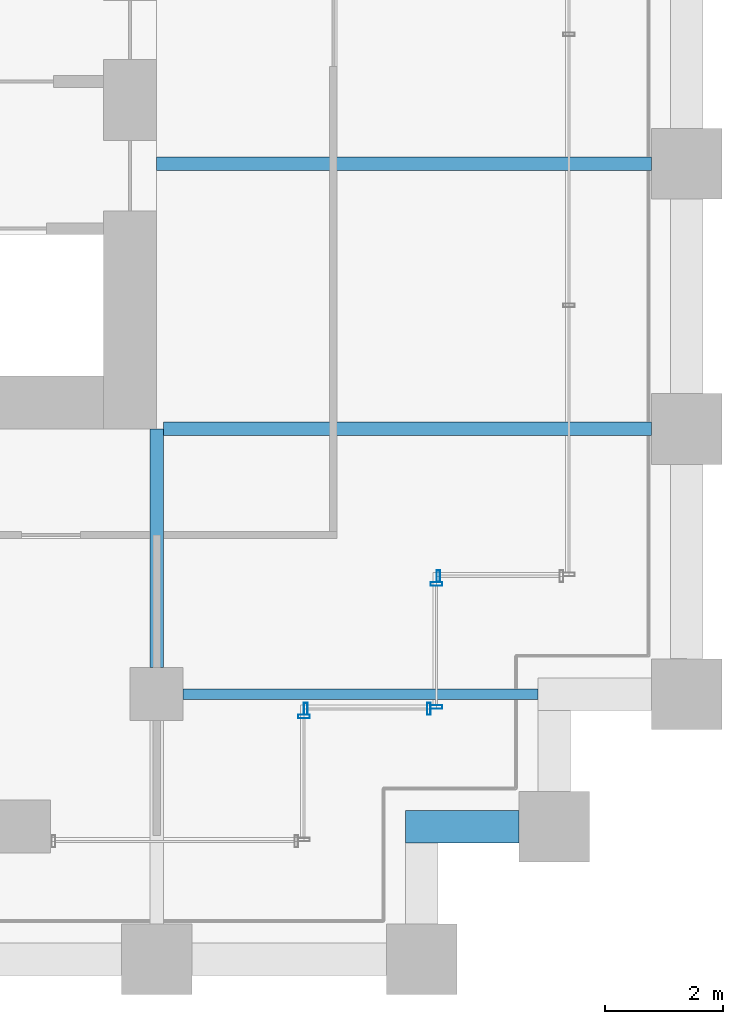
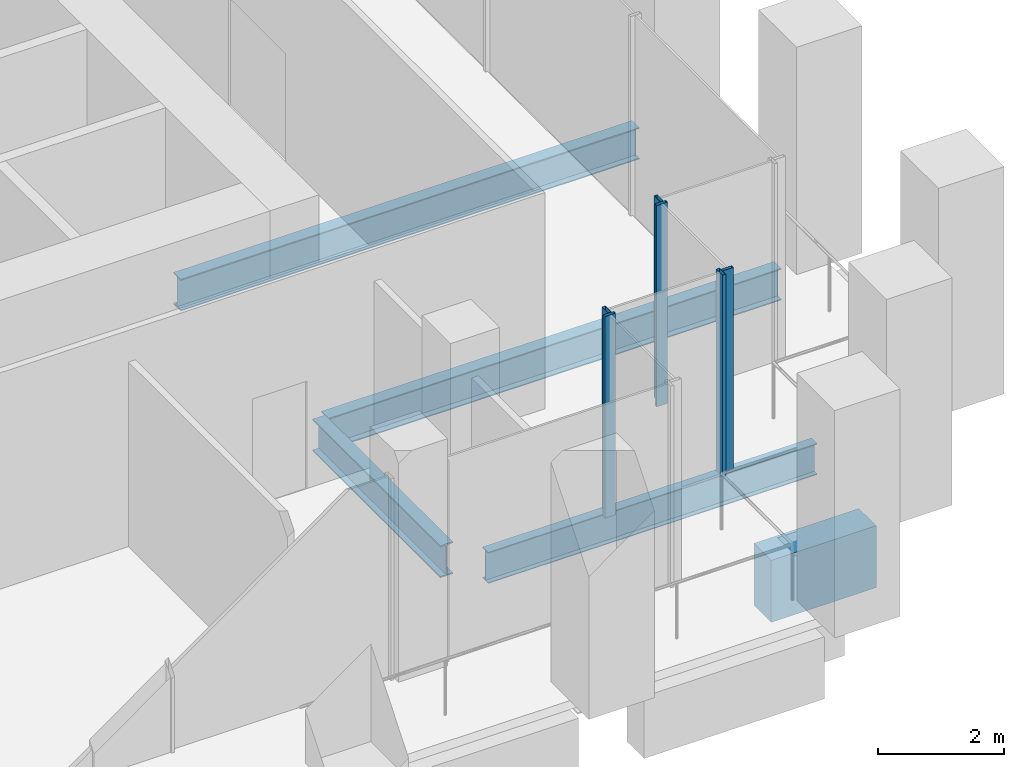
# One storey, part 22 of 36: 6 members, 5 beams, 4 elements without a shape of their own.
"""IFC4 building model written with IfcOpenShell, lengths in metres."""

from ifc_helpers import new_model, si_unit, direction, frame, origin, origin_2d, place, context, subcontext, project, spatial, rectangle, hollow_rectangle, i_section, extrude, material, material_profile, profile_set, type_object, element, aggregate, save


model = new_model("IFC4")

# Units and contexts
model_context = context("Model", 3, precision=1e-05, world=origin(), true_north=direction((0.0, 1.0)))
body_context = subcontext(model_context, "Body", "Model", "MODEL_VIEW")
ifc_project = project(units=[si_unit("LENGTHUNIT", "METRE"), si_unit("AREAUNIT", "SQUARE_METRE"), si_unit("VOLUMEUNIT", "CUBIC_METRE"), si_unit("PLANEANGLEUNIT", "RADIAN"), si_unit("MASSUNIT", "GRAM", prefix="KILO")], contexts=[model_context])

# Site, building, storey
site_placement = place(None, origin())
site = spatial("IfcSite", under=ifc_project, at=site_placement, CompositionType="ELEMENT")
building_placement = place(site_placement, origin())
building = spatial("IfcBuilding", under=site, at=building_placement, Name="Altepetl Exchange Towers", CompositionType="ELEMENT")
storey_placement = place(building_placement, frame((0.0, 0.0, 25.39990234375)))
storey = spatial("IfcBuildingStorey", under=building, at=storey_placement, Name="L05", CompositionType="ELEMENT", Elevation=25.39990234375)

# Beams
ifc_material_1 = material(Name="Steel S355", Category="steel")
ifc_material_profile_1 = material_profile(ifc_material_1, i_section(OverallWidth=0.178955078125, OverallDepth=0.60302734375, WebThickness=0.010986328125, FlangeThickness=0.014892578125, at=origin_2d()), Name="W24X62")
ifc_profile_set_1 = profile_set([ifc_material_profile_1], Name="Steel S355")
beam_type_1 = type_object("IfcBeamType", Name="Floor beam W24X62", PredefinedType="BEAM", material=ifc_profile_set_1)
beam_1_placement = place(storey_placement, frame((117.449951171875, 31.5, -0.476318359375), z_axis=(1.0, 0.0, 0.0), x_axis=(0.0, 1.0, 0.0)))
element("IfcBeam", 1, at=beam_1_placement, inside=storey, type_object=beam_type_1, Name="bm:B:L05:004", PredefinedType="BEAM", context=body_context, shape_type="SweptSolid", body=[
    extrude(i_section(OverallWidth=0.178955078125, OverallDepth=0.60302734375, WebThickness=0.010986328125, FlangeThickness=0.014892578125, at=origin_2d()), origin(), (0.0, 0.0, 1.0), 6.025146484375),
])
ifc_material_profile_2 = material_profile(ifc_material_1, i_section(OverallWidth=0.22900390625, OverallDepth=0.612060546875, WebThickness=0.011962890625, FlangeThickness=0.01953125, at=origin_2d()), Name="W24X84")
ifc_profile_set_2 = profile_set([ifc_material_profile_2], Name="Steel S355")
beam_type_2 = type_object("IfcBeamType", Name="Floor beam W24X84", PredefinedType="BEAM", material=ifc_profile_set_2)
beam_2_placement = place(storey_placement, frame((117.114990234375, 36.0, -0.48095703125), z_axis=(1.0, 0.0, 0.0), x_axis=(0.0, 1.0, 0.0)))
element("IfcBeam", 2, at=beam_2_placement, inside=storey, type_object=beam_type_2, Name="bm:B:L05:005", PredefinedType="BEAM", context=body_context, shape_type="SweptSolid", body=[
    extrude(i_section(OverallWidth=0.22900390625, OverallDepth=0.612060546875, WebThickness=0.011962890625, FlangeThickness=0.01953125, at=origin_2d()), origin(), (0.0, 0.0, 1.0), 8.284912109375),
])
beam_3_placement = place(storey_placement, frame((117.0, 40.5, -0.48095703125), z_axis=(1.0, 0.0, 0.0), x_axis=(0.0, 1.0, 0.0)))
element("IfcBeam", 3, at=beam_3_placement, inside=storey, type_object=beam_type_2, Name="bm:B:L05:006", PredefinedType="BEAM", context=body_context, shape_type="SweptSolid", body=[
    extrude(i_section(OverallWidth=0.22900390625, OverallDepth=0.612060546875, WebThickness=0.011962890625, FlangeThickness=0.01953125, at=origin_2d()), origin(), (0.0, 0.0, 1.0), 8.39990234375),
])
ifc_material_profile_3 = material_profile(ifc_material_1, i_section(OverallWidth=0.22900390625, OverallDepth=0.623046875, WebThickness=0.013916015625, FlangeThickness=0.02490234375, at=origin_2d()), Name="W24X103")
ifc_profile_set_3 = profile_set([ifc_material_profile_3], Name="Steel S355")
beam_type_3 = type_object("IfcBeamType", Name="Girder W24X103", PredefinedType="BEAM", material=ifc_profile_set_3)
beam_4_placement = place(storey_placement, frame((117.0, 36.0, -0.486328125), z_axis=(0.0, -1.0, 0.0), x_axis=(1.0, 0.0, 0.0)))
element("IfcBeam", 4, at=beam_4_placement, inside=storey, type_object=beam_type_3, Name="gd:B:L05:004", PredefinedType="BEAM", context=body_context, shape_type="SweptSolid", body=[
    extrude(i_section(OverallWidth=0.22900390625, OverallDepth=0.623046875, WebThickness=0.013916015625, FlangeThickness=0.02490234375, at=origin_2d()), origin(), (0.0, 0.0, 1.0), 4.050048828125),
])

# Curtain wall, member
ifc_material_2 = material(Name="Aluminium 6063-T6 glazing", Category="aluminium")
curtain_wall_type = type_object("IfcCurtainWallType", Name="Trading floor glazing system", PredefinedType="NOTDEFINED", material=ifc_material_2)
curtain_wall_1_placement = place(storey_placement, origin())
curtain_wall_1 = element("IfcCurtainWall", 5, at=curtain_wall_1_placement, inside=storey, type_object=curtain_wall_type, Name="CW2 run", PredefinedType="NOTDEFINED")
ifc_material_3 = material(Name="Aluminium 6063-T6", Category="aluminium")
ifc_material_profile_4 = material_profile(ifc_material_3, hollow_rectangle(XDim=0.06005859375, YDim=0.199951171875, WallThickness=0.0029296875, at=origin_2d()), Name="Mullion 60x200 aluminium")
ifc_profile_set_4 = profile_set([ifc_material_profile_4], Name="Aluminium 6063-T6")
member_type = type_object("IfcMemberType", Name="Mullion 60x200 aluminium", PredefinedType="MULLION", material=ifc_profile_set_4)
member_1_placement = place(storey_placement, frame((119.5, 31.1201171875, 0.0), z_axis=(0.0, 0.0, 1.0), x_axis=(0.0, 1.0, 0.0)))
member_1 = element("IfcMember", 6, at=member_1_placement, type_object=member_type, Name="MU2 mullion", PredefinedType="MULLION", context=body_context, shape_type="SweptSolid", body=[
    extrude(hollow_rectangle(XDim=0.06005859375, YDim=0.199951171875, WallThickness=0.0029296875, at=origin_2d()), origin(), (0.0, 0.0, 1.0), 3.900146484375),
])
aggregate(curtain_wall_1, [member_1])

# Curtain wall, members
curtain_wall_2_placement = place(storey_placement, origin())
curtain_wall_2 = element("IfcCurtainWall", 7, at=curtain_wall_2_placement, inside=storey, type_object=curtain_wall_type, Name="CW2 run", PredefinedType="NOTDEFINED")
member_2_placement = place(storey_placement, frame((119.530029296875, 31.25, 0.0)))
member_2 = element("IfcMember", 8, at=member_2_placement, type_object=member_type, Name="MU2 mullion", PredefinedType="MULLION", context=body_context, shape_type="SweptSolid", body=[
    extrude(hollow_rectangle(XDim=0.06005859375, YDim=0.199951171875, WallThickness=0.0029296875, at=origin_2d()), origin(), (0.0, 0.0, 1.0), 3.900146484375),
])
member_3_placement = place(storey_placement, frame((121.6201171875, 31.25, 0.0)))
member_3 = element("IfcMember", 9, at=member_3_placement, type_object=member_type, Name="MU2 mullion", PredefinedType="MULLION", context=body_context, shape_type="SweptSolid", body=[
    extrude(hollow_rectangle(XDim=0.06005859375, YDim=0.199951171875, WallThickness=0.0029296875, at=origin_2d()), origin(), (0.0, 0.0, 1.0), 3.900146484375),
])
aggregate(curtain_wall_2, [member_2, member_3])

curtain_wall_3_placement = place(storey_placement, origin())
curtain_wall_3 = element("IfcCurtainWall", 10, at=curtain_wall_3_placement, inside=storey, type_object=curtain_wall_type, Name="CW2 run", PredefinedType="NOTDEFINED")
member_4_placement = place(storey_placement, frame((121.75, 31.280029296875, 0.0), z_axis=(0.0, 0.0, 1.0), x_axis=(0.0, 1.0, 0.0)))
member_4 = element("IfcMember", 11, at=member_4_placement, type_object=member_type, Name="MU2 mullion", PredefinedType="MULLION", context=body_context, shape_type="SweptSolid", body=[
    extrude(hollow_rectangle(XDim=0.06005859375, YDim=0.199951171875, WallThickness=0.0029296875, at=origin_2d()), origin(), (0.0, 0.0, 1.0), 3.900146484375),
])
member_5_placement = place(storey_placement, frame((121.75, 33.3701171875, 0.0), z_axis=(0.0, 0.0, 1.0), x_axis=(0.0, 1.0, 0.0)))
member_5 = element("IfcMember", 12, at=member_5_placement, type_object=member_type, Name="MU2 mullion", PredefinedType="MULLION", context=body_context, shape_type="SweptSolid", body=[
    extrude(hollow_rectangle(XDim=0.06005859375, YDim=0.199951171875, WallThickness=0.0029296875, at=origin_2d()), origin(), (0.0, 0.0, 1.0), 3.900146484375),
])
aggregate(curtain_wall_3, [member_4, member_5])

# Curtain wall, member
curtain_wall_4_placement = place(storey_placement, origin())
curtain_wall_4 = element("IfcCurtainWall", 13, at=curtain_wall_4_placement, inside=storey, type_object=curtain_wall_type, Name="CW2 run", PredefinedType="NOTDEFINED")
member_6_placement = place(storey_placement, frame((121.780029296875, 33.5, 0.0)))
member_6 = element("IfcMember", 14, at=member_6_placement, type_object=member_type, Name="MU2 mullion", PredefinedType="MULLION", context=body_context, shape_type="SweptSolid", body=[
    extrude(hollow_rectangle(XDim=0.06005859375, YDim=0.199951171875, WallThickness=0.0029296875, at=origin_2d()), origin(), (0.0, 0.0, 1.0), 3.900146484375),
])
aggregate(curtain_wall_4, [member_6])

# Beam
ifc_material_4 = material(Name="Concrete C50/60 precast with cantera blanca facing", Category="concrete")
ifc_material_profile_5 = material_profile(ifc_material_4, rectangle(XDim=0.550048828125, YDim=1.199951171875, at=origin_2d()), Name="550 x 1200")
ifc_profile_set_5 = profile_set([ifc_material_profile_5], Name="Concrete C50/60 precast with cantera blanca facing")
beam_type_4 = type_object("IfcBeamType", Name="Spandrel beam 550x1200 cantera blanca", PredefinedType="SPANDREL", material=ifc_profile_set_5)
beam_5_placement = place(storey_placement, frame((121.22509765625, 29.25, -0.77490234375), z_axis=(1.0, 0.0, 0.0), x_axis=(0.0, 1.0, 0.0)))
element("IfcBeam", 15, at=beam_5_placement, inside=storey, type_object=beam_type_4, Name="sp:B:L05:006", PredefinedType="SPANDREL", context=body_context, shape_type="SweptSolid", body=[
    extrude(rectangle(XDim=0.550048828125, YDim=1.199951171875, at=origin_2d()), origin(), (0.0, 0.0, 1.0), 1.9248046875),
])

save(model, "model.ifc")
